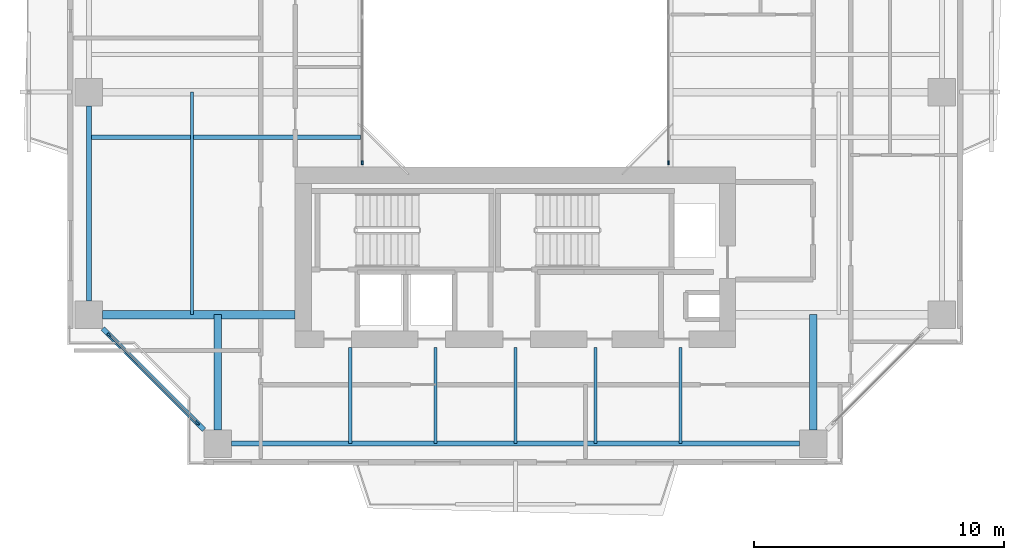
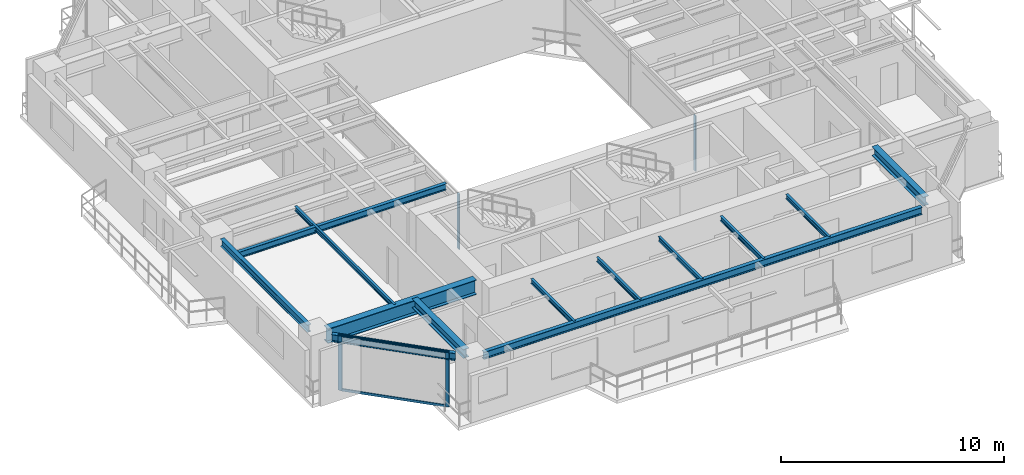
# One storey, part 2 of 16: 13 beams, 6 members, 3 elements without a shape of their own.
"""IFC4 building model written with IfcOpenShell, lengths in metres."""

from ifc_helpers import new_model, si_unit, direction, frame, origin, origin_2d, place, context, subcontext, project, spatial, rectangle, i_section, extrude, source, transform, mapped, material, layer, layer_set, material_profile, profile_set, type_object, element, aggregate, save


model = new_model("IFC4")

# Units and contexts
model_context = context("Model", 3, precision=1e-05, world=origin(), true_north=direction((0.0, 1.0)))
body_context = subcontext(model_context, "Body", "Model", "MODEL_VIEW")
ifc_project = project(units=[si_unit("LENGTHUNIT", "METRE"), si_unit("AREAUNIT", "SQUARE_METRE"), si_unit("VOLUMEUNIT", "CUBIC_METRE"), si_unit("PLANEANGLEUNIT", "RADIAN"), si_unit("MASSUNIT", "GRAM", prefix="KILO"), si_unit("THERMODYNAMICTEMPERATUREUNIT", "KELVIN"), si_unit("POWERUNIT", "WATT")], contexts=[model_context])

# Site, building, storey
site_placement = place(None, origin())
site = spatial("IfcSite", under=ifc_project, at=site_placement, CompositionType="ELEMENT")
building_placement = place(site_placement, origin())
building = spatial("IfcBuilding", under=site, at=building_placement, Name="Qiaomeng Ring Towers", CompositionType="ELEMENT")
storey_placement = place(building_placement, frame((0.0, 0.0, 136.0)))
storey = spatial("IfcBuildingStorey", under=building, at=storey_placement, Name="L39", CompositionType="ELEMENT", Elevation=136.0)

# Beams
ifc_material_1 = material(Name="Steel Q355B", Category="steel")
ifc_material_profile_1 = material_profile(ifc_material_1, i_section(OverallWidth=0.199951171875, OverallDepth=0.39990234375, WebThickness=0.008056640625, FlangeThickness=0.012939453125, FilletRadius=0.01611328125, at=origin_2d()), Name="HN 400x200x8x13")
ifc_profile_set_1 = profile_set([ifc_material_profile_1], Name="Steel Q355B")
beam_type_1 = type_object("IfcBeamType", Name="STR-BM-HN400", PredefinedType="SPANDREL", material=ifc_profile_set_1)
shared_shape_1 = source(origin(), body_context, "Body", "SweptSolid", [
    extrude(i_section(OverallWidth=0.199951171875, OverallDepth=0.39990234375, WebThickness=0.008056640625, FlangeThickness=0.012939453125, FilletRadius=0.01611328125, at=origin_2d()), origin(), (0.0, 0.0, 1.0), 22.7021484375),
])
beam_1_placement = place(storey_placement, frame((7.64892578125, 5.949951171875, 2.830078125), z_axis=(1.0, 0.0, 0.0), x_axis=(0.0, 1.0, 0.0)))
element("IfcBeam", 1, at=beam_1_placement, inside=storey, type_object=beam_type_1, Name="L39 beam STR-SP-L39-T1-S1-S2", PredefinedType="SPANDREL", context=body_context, shape_type="MappedRepresentation", body=[
    mapped(shared_shape_1, transform((0.0, 0.0, 0.0), x_axis=(1.0, 0.0, 0.0), y_axis=(0.0, 1.0, 0.0), z_axis=(0.0, 0.0, 1.0), scale=1.0)),
])
shared_shape_2 = source(origin(), body_context, "Body", "SweptSolid", [
    extrude(i_section(OverallWidth=0.199951171875, OverallDepth=0.39990234375, WebThickness=0.008056640625, FlangeThickness=0.012939453125, FilletRadius=0.01611328125, at=origin_2d()), origin(), (0.0, 0.0, 1.0), 5.729736328125),
])
beam_2_placement = place(storey_placement, frame((2.499267578125, 10.55078125, 2.830078125), z_axis=(0.707106781187, -0.707106781187, 0.0), x_axis=(0.707106781187, 0.707106781187, 0.0)))
element("IfcBeam", 2, at=beam_2_placement, inside=storey, type_object=beam_type_1, Name="L39 beam STR-SP-L39-T1-W1-S1", PredefinedType="SPANDREL", context=body_context, shape_type="MappedRepresentation", body=[
    mapped(shared_shape_2, transform((0.0, 0.0, 0.0), x_axis=(1.0, 0.0, 0.0), y_axis=(0.0, 1.0, 0.0), z_axis=(0.0, 0.0, 1.0), scale=1.0)),
])
shared_shape_3 = source(origin(), body_context, "Body", "SweptSolid", [
    extrude(i_section(OverallWidth=0.199951171875, OverallDepth=0.39990234375, WebThickness=0.008056640625, FlangeThickness=0.012939453125, FilletRadius=0.01611328125, at=origin_2d()), origin(), (0.0, 0.0, 1.0), 7.802001953125),
])
beam_3_placement = place(storey_placement, frame((1.949951171875, 19.450927734375, 2.830078125), z_axis=(0.0, -1.0, 0.0), x_axis=(1.0, 0.0, 0.0)))
element("IfcBeam", 3, at=beam_3_placement, inside=storey, type_object=beam_type_1, Name="L39 beam STR-SP-L39-T1-W2-W1", PredefinedType="SPANDREL", context=body_context, shape_type="MappedRepresentation", body=[
    mapped(shared_shape_3, transform((0.0, 0.0, 0.0), x_axis=(1.0, 0.0, 0.0), y_axis=(0.0, 1.0, 0.0), z_axis=(0.0, 0.0, 1.0), scale=1.0)),
])
ifc_material_2 = material(Name="Steel Q390GJC", Category="steel")
ifc_material_profile_2 = material_profile(ifc_material_2, i_section(OverallWidth=0.35009765625, OverallDepth=0.800048828125, WebThickness=0.01611328125, FlangeThickness=0.028076171875, at=origin_2d()), Name="WH 800x350x16x28")
ifc_profile_set_2 = profile_set([ifc_material_profile_2], Name="Steel Q390GJC")
beam_type_2 = type_object("IfcBeamType", Name="STR-BM-WH800", PredefinedType="BEAM", material=ifc_profile_set_2)
shared_shape_4 = source(origin(), body_context, "Body", "SweptSolid", [
    extrude(i_section(OverallWidth=0.35009765625, OverallDepth=0.800048828125, WebThickness=0.01611328125, FlangeThickness=0.028076171875, at=origin_2d()), origin(), (0.0, 0.0, 1.0), 7.700927734375),
])
beam_4_placement = place(storey_placement, frame((2.4990234375, 11.10009765625, 2.6298828125), z_axis=(1.0, 0.0, 0.0), x_axis=(0.0, 1.0, 0.0)))
element("IfcBeam", 4, at=beam_4_placement, inside=storey, type_object=beam_type_2, Name="L39 beam STR-BM-L39-T1-RAD-W1", PredefinedType="BEAM", context=body_context, shape_type="MappedRepresentation", body=[
    mapped(shared_shape_4, transform((0.0, 0.0, 0.0), x_axis=(1.0, 0.0, 0.0), y_axis=(0.0, 1.0, 0.0), z_axis=(0.0, 0.0, 1.0), scale=1.0)),
])
ifc_material_profile_3 = material_profile(ifc_material_1, i_section(OverallWidth=0.300048828125, OverallDepth=0.488037109375, WebThickness=0.010986328125, FlangeThickness=0.01806640625, FilletRadius=0.02587890625, at=origin_2d()), Name="HM 488x300x11x18")
ifc_profile_set_3 = profile_set([ifc_material_profile_3], Name="Steel Q355B")
beam_type_3 = type_object("IfcBeamType", Name="STR-BM-HM488", PredefinedType="BEAM", material=ifc_profile_set_3)
shared_shape_5 = source(origin(), body_context, "Body", "SweptSolid", [
    extrude(i_section(OverallWidth=0.300048828125, OverallDepth=0.488037109375, WebThickness=0.010986328125, FlangeThickness=0.01806640625, FilletRadius=0.02587890625, at=origin_2d()), origin(), (0.0, 0.0, 1.0), 4.60107421875),
])
for number, where, z_axis, x_axis, name in (
    (5, (7.10009765625, 6.4990234375, 2.785888671875), (0.0, 1.0, 0.0), (-1.0, 0.0, 0.0), "L39 beam STR-BM-L39-T1-RAD-S1"),
    (6, (30.89990234375, 6.4990234375, 2.785888671875), (0.0, 1.0, 0.0), (-1.0, 0.0, 0.0), "L39 beam STR-BM-L39-T1-RAD-S2"),
):
    element("IfcBeam", number, at=place(storey_placement, frame(where, z_axis=z_axis, x_axis=x_axis)), inside=storey, type_object=beam_type_3, Name=name, PredefinedType="BEAM", context=body_context, shape_type="MappedRepresentation", body=[
        mapped(shared_shape_5, transform((0.0, 0.0, 0.0), x_axis=(1.0, 0.0, 0.0), y_axis=(0.0, 1.0, 0.0), z_axis=(0.0, 0.0, 1.0), scale=1.0)),
    ])
ifc_material_profile_4 = material_profile(ifc_material_1, i_section(OverallWidth=0.125, OverallDepth=0.25, WebThickness=0.006103515625, FlangeThickness=0.009033203125, FilletRadius=0.011962890625, at=origin_2d()), Name="HN 250x125x6x9")
ifc_profile_set_4 = profile_set([ifc_material_profile_4], Name="Steel Q355B")
beam_type_4 = type_object("IfcBeamType", Name="STR-BM-HN250", PredefinedType="JOIST", material=ifc_profile_set_4)
shared_shape_6 = source(origin(), body_context, "Body", "SweptSolid", [
    extrude(i_section(OverallWidth=0.125, OverallDepth=0.25, WebThickness=0.006103515625, FlangeThickness=0.009033203125, FilletRadius=0.011962890625, at=origin_2d()), origin(), (0.0, 0.0, 1.0), 3.85009765625),
])
for number, where, z_axis, x_axis, name in (
    (7, (12.39990234375, 5.949951171875, 2.905029296875), (0.0, 1.0, 0.0), (-1.0, 0.0, 0.0), "L39 beam STR-JST-L39-T1S-1"),
    (8, (15.800048828125, 5.949951171875, 2.905029296875), (0.0, 1.0, 0.0), (-1.0, 0.0, 0.0), "L39 beam STR-JST-L39-T1S-2"),
    (9, (19.0, 5.949951171875, 2.905029296875), (0.0, 1.0, 0.0), (-1.0, 0.0, 0.0), "L39 beam STR-JST-L39-T1S-3"),
    (10, (22.199951171875, 5.949951171875, 2.905029296875), (0.0, 1.0, 0.0), (-1.0, 0.0, 0.0), "L39 beam STR-JST-L39-T1S-4"),
    (11, (25.60009765625, 5.949951171875, 2.905029296875), (0.0, 1.0, 0.0), (-1.0, 0.0, 0.0), "L39 beam STR-JST-L39-T1S-5"),
):
    element("IfcBeam", number, at=place(storey_placement, frame(where, z_axis=z_axis, x_axis=x_axis)), inside=storey, type_object=beam_type_4, Name=name, PredefinedType="JOIST", context=body_context, shape_type="MappedRepresentation", body=[
        mapped(shared_shape_6, transform((0.0, 0.0, 0.0), x_axis=(1.0, 0.0, 0.0), y_axis=(0.0, 1.0, 0.0), z_axis=(0.0, 0.0, 1.0), scale=1.0)),
    ])
ifc_material_profile_5 = material_profile(ifc_material_1, i_section(OverallWidth=0.175048828125, OverallDepth=0.35009765625, WebThickness=0.007080078125, FlangeThickness=0.010986328125, FilletRadius=0.013916015625, at=origin_2d()), Name="HN 350x175x7x11")
ifc_profile_set_5 = profile_set([ifc_material_profile_5], Name="Steel Q355B")
beam_type_5 = type_object("IfcBeamType", Name="STR-BM-HN350", PredefinedType="JOIST", material=ifc_profile_set_5)
shared_shape_7 = source(origin(), body_context, "Body", "SweptSolid", [
    extrude(i_section(OverallWidth=0.175048828125, OverallDepth=0.35009765625, WebThickness=0.007080078125, FlangeThickness=0.010986328125, FilletRadius=0.013916015625, at=origin_2d()), origin(), (0.0, 0.0, 1.0), 10.85009765625),
])
beam_5_placement = place(storey_placement, frame((1.949951171875, 18.199951171875, 2.85498046875), z_axis=(1.0, 0.0, 0.0), x_axis=(0.0, 1.0, 0.0)))
element("IfcBeam", 12, at=beam_5_placement, inside=storey, type_object=beam_type_5, Name="L39 beam STR-JST-L39-T1W-1", PredefinedType="JOIST", context=body_context, shape_type="MappedRepresentation", body=[
    mapped(shared_shape_7, transform((0.0, 0.0, 0.0), x_axis=(1.0, 0.0, 0.0), y_axis=(0.0, 1.0, 0.0), z_axis=(0.0, 0.0, 1.0), scale=1.0)),
])
shared_shape_8 = source(origin(), body_context, "Body", "SweptSolid", [
    extrude(i_section(OverallWidth=0.125, OverallDepth=0.25, WebThickness=0.006103515625, FlangeThickness=0.009033203125, FilletRadius=0.011962890625, at=origin_2d()), origin(), (0.0, 0.0, 1.0), 8.89990234375),
])
beam_6_placement = place(storey_placement, frame((6.074951171875, 11.10009765625, 2.905029296875), z_axis=(0.0, 1.0, 0.0), x_axis=(-1.0, 0.0, 0.0)))
element("IfcBeam", 13, at=beam_6_placement, inside=storey, type_object=beam_type_4, Name="L39 beam STR-JST-L39-T1C-WS", PredefinedType="JOIST", context=body_context, shape_type="MappedRepresentation", body=[
    mapped(shared_shape_8, transform((0.0, 0.0, 0.0), x_axis=(1.0, 0.0, 0.0), y_axis=(0.0, 1.0, 0.0), z_axis=(0.0, 0.0, 1.0), scale=1.0)),
])

# Curtain wall, member
ifc_material_3 = material(Name="Fluorocarbon dark-grey aluminium", Category="aluminium")
ifc_layer_1 = layer(ifc_material_3, 0.139892578125, Name="Fluorocarbon dark-grey aluminium")
ifc_layer_set_1 = layer_set([ifc_layer_1], Name="Fluorocarbon dark-grey aluminium")
curtain_wall_type_1 = type_object("IfcCurtainWallType", Name="ARC-CW-4", PredefinedType="NOTDEFINED", material=ifc_layer_set_1)
curtain_wall_1_placement = place(storey_placement, origin())
curtain_wall_1 = element("IfcCurtainWall", 14, at=curtain_wall_1_placement, inside=storey, type_object=curtain_wall_type_1, Name="L39 Curtain Wall CW4", PredefinedType="NOTDEFINED")
ifc_material_profile_6 = material_profile(ifc_material_3, rectangle(XDim=0.06494140625, YDim=0.159912109375, at=origin_2d()), Name="ALU MULL 65x160")
ifc_profile_set_6 = profile_set([ifc_material_profile_6], Name="Fluorocarbon dark-grey aluminium")
member_type_1 = type_object("IfcMemberType", Name="ARC-CWM-140", PredefinedType="MULLION", material=ifc_profile_set_6)
shared_shape_9 = source(origin(), body_context, "Body", "SweptSolid", [
    extrude(rectangle(XDim=0.06494140625, YDim=0.159912109375, at=origin_2d()), origin(), (0.0, 0.0, 1.0), 3.030029296875),
])
member_1_placement = place(storey_placement, frame((12.8798828125, 17.1826171875, 0.0), z_axis=(0.0, 0.0, 1.0), x_axis=(-1.0, 0.0, 0.0)))
member_1 = element("IfcMember", 15, at=member_1_placement, type_object=member_type_1, Name="CW4 mullion 1", PredefinedType="MULLION", context=body_context, shape_type="MappedRepresentation", body=[
    mapped(shared_shape_9, transform((0.0, 0.0, 0.0), x_axis=(1.0, 0.0, 0.0), y_axis=(0.0, 1.0, 0.0), z_axis=(0.0, 0.0, 1.0), scale=1.0)),
])
aggregate(curtain_wall_1, [member_1])

curtain_wall_2_placement = place(storey_placement, origin())
curtain_wall_2 = element("IfcCurtainWall", 16, at=curtain_wall_2_placement, inside=storey, type_object=curtain_wall_type_1, Name="L39 Curtain Wall CW4", PredefinedType="NOTDEFINED")
member_2_placement = place(storey_placement, frame((25.1201171875, 17.1826171875, 0.0), z_axis=(0.0, 0.0, 1.0), x_axis=(-1.0, 0.0, 0.0)))
member_2 = element("IfcMember", 17, at=member_2_placement, type_object=member_type_1, Name="CW4 mullion 1", PredefinedType="MULLION", context=body_context, shape_type="MappedRepresentation", body=[
    mapped(shared_shape_9, transform((0.0, 0.0, 0.0), x_axis=(1.0, 0.0, 0.0), y_axis=(0.0, 1.0, 0.0), z_axis=(0.0, 0.0, 1.0), scale=1.0)),
])
aggregate(curtain_wall_2, [member_2])

# Curtain wall, members
ifc_layer_2 = layer(ifc_material_3, 0.14990234375, Name="Fluorocarbon dark-grey aluminium")
ifc_layer_set_2 = layer_set([ifc_layer_2], Name="Fluorocarbon dark-grey aluminium")
curtain_wall_type_2 = type_object("IfcCurtainWallType", Name="ARC-CW-3", PredefinedType="NOTDEFINED", material=ifc_layer_set_2)
curtain_wall_3_placement = place(storey_placement, origin())
curtain_wall_3 = element("IfcCurtainWall", 18, at=curtain_wall_3_placement, inside=storey, type_object=curtain_wall_type_2, Name="L39 Curtain Wall CW3", PredefinedType="NOTDEFINED")
ifc_material_profile_7 = material_profile(ifc_material_3, rectangle(XDim=0.070068359375, YDim=0.179931640625, at=origin_2d()), Name="ALU MULL 70x180")
ifc_profile_set_7 = profile_set([ifc_material_profile_7], Name="Fluorocarbon dark-grey aluminium")
member_type_2 = type_object("IfcMemberType", Name="ARC-CWM-160", PredefinedType="MULLION", material=ifc_profile_set_7)
shared_shape_10 = source(origin(), body_context, "Body", "SweptSolid", [
    extrude(rectangle(XDim=0.070068359375, YDim=0.179931640625, at=origin_2d()), origin(), (0.0, 0.0, 1.0), 3.030029296875),
])
member_3_placement = place(storey_placement, frame((2.7646484375, 10.28515625, 0.0), z_axis=(0.0, 0.0, 1.0), x_axis=(0.707106781187, 0.707106781187, 0.0)))
member_3 = element("IfcMember", 19, at=member_3_placement, type_object=member_type_2, Name="CW3 mullion 1", PredefinedType="MULLION", context=body_context, shape_type="MappedRepresentation", body=[
    mapped(shared_shape_10, transform((0.0, 0.0, 0.0), x_axis=(1.0, 0.0, 0.0), y_axis=(0.0, 1.0, 0.0), z_axis=(0.0, 0.0, 1.0), scale=1.0)),
])
member_4_placement = place(storey_placement, frame((6.28515625, 6.7646484375, 0.0), z_axis=(0.0, 0.0, 1.0), x_axis=(0.707106781187, 0.707106781187, 0.0)))
member_4 = element("IfcMember", 20, at=member_4_placement, type_object=member_type_2, Name="CW3 mullion 2", PredefinedType="MULLION", context=body_context, shape_type="MappedRepresentation", body=[
    mapped(shared_shape_10, transform((0.0, 0.0, 0.0), x_axis=(1.0, 0.0, 0.0), y_axis=(0.0, 1.0, 0.0), z_axis=(0.0, 0.0, 1.0), scale=1.0)),
])
ifc_material_profile_8 = material_profile(ifc_material_3, rectangle(XDim=0.06494140625, YDim=0.1298828125, at=origin_2d()), Name="ALU TRAN 65x130")
ifc_profile_set_8 = profile_set([ifc_material_profile_8], Name="Fluorocarbon dark-grey aluminium")
member_type_3 = type_object("IfcMemberType", Name="ARC-CWT-120", PredefinedType="USERDEFINED", material=ifc_profile_set_8)
shared_shape_11 = source(origin(), body_context, "Body", "SweptSolid", [
    extrude(rectangle(XDim=0.06494140625, YDim=0.1298828125, at=origin_2d()), origin(), (0.0, 0.0, 1.0), 4.90869140625),
])
member_5_placement = place(storey_placement, frame((2.78955078125, 10.260498046875, 0.032470703125), z_axis=(0.707106781187, -0.707106781187, 0.0), x_axis=(0.707106781187, 0.707106781187, 0.0)))
member_5 = element("IfcMember", 21, at=member_5_placement, type_object=member_type_3, Name="CW3 transom 1.1", ObjectType="TRANSOM", PredefinedType="USERDEFINED", context=body_context, shape_type="MappedRepresentation", body=[
    mapped(shared_shape_11, transform((0.0, 0.0, 0.0), x_axis=(1.0, 0.0, 0.0), y_axis=(0.0, 1.0, 0.0), z_axis=(0.0, 0.0, 1.0), scale=1.0)),
])
member_6_placement = place(storey_placement, frame((2.78955078125, 10.260498046875, 2.99755859375), z_axis=(0.707106781187, -0.707106781187, 0.0), x_axis=(0.707106781187, 0.707106781187, 0.0)))
member_6 = element("IfcMember", 22, at=member_6_placement, type_object=member_type_3, Name="CW3 transom 1.2", ObjectType="TRANSOM", PredefinedType="USERDEFINED", context=body_context, shape_type="MappedRepresentation", body=[
    mapped(shared_shape_11, transform((0.0, 0.0, 0.0), x_axis=(1.0, 0.0, 0.0), y_axis=(0.0, 1.0, 0.0), z_axis=(0.0, 0.0, 1.0), scale=1.0)),
])
aggregate(curtain_wall_3, [member_3, member_4, member_5, member_6])

save(model, "model.ifc")
